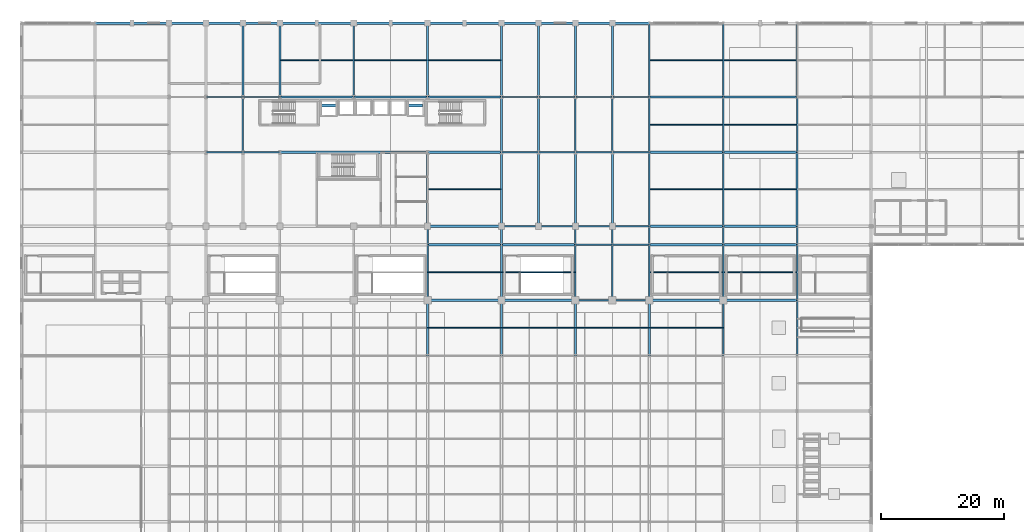
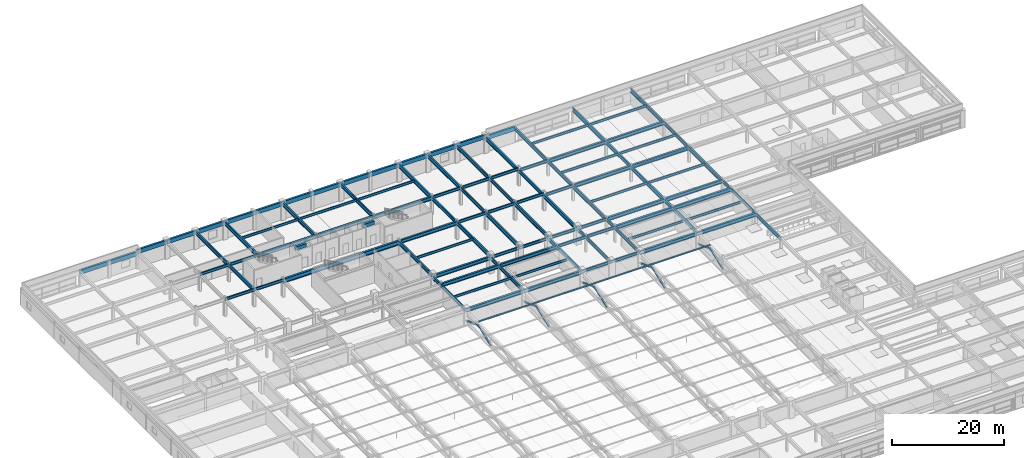
# One storey, part 44 of 108: 109 beams, 14 members.
"""IFC4 building model written with IfcOpenShell, lengths in metres."""

from ifc_helpers import new_model, si_unit, direction, frame, origin, origin_2d, place, context, subcontext, project, spatial, rectangle, hollow_rectangle, i_section, extrude, material, material_profile, profile_set, type_object, element, save


model = new_model("IFC4")

# Units and contexts
model_context = context("Model", 3, precision=1e-05, world=origin(), true_north=direction((0.0, 1.0)))
body_context = subcontext(model_context, "Body", "Model", "MODEL_VIEW")
ifc_project = project(units=[si_unit("LENGTHUNIT", "METRE"), si_unit("AREAUNIT", "SQUARE_METRE"), si_unit("VOLUMEUNIT", "CUBIC_METRE"), si_unit("PLANEANGLEUNIT", "RADIAN"), si_unit("MASSUNIT", "GRAM", prefix="KILO")], contexts=[model_context])

# Site, building, storey
site_placement = place(None, origin())
site = spatial("IfcSite", under=ifc_project, at=site_placement, CompositionType="ELEMENT")
building_placement = place(site_placement, origin())
building = spatial("IfcBuilding", under=site, at=building_placement, Name="Kaldorvane Square Convention Centre", CompositionType="ELEMENT")
storey_placement = place(building_placement, frame((0.0, 0.0, 23.399993896484375)))
storey = spatial("IfcBuildingStorey", under=building, at=storey_placement, Name="L04", CompositionType="ELEMENT", Elevation=23.399993896484375)

# Beams
ifc_material_1 = material(Name="Steel ASTM A992 Gr. 50", Category="steel")
ifc_material_profile_1 = material_profile(ifc_material_1, i_section(OverallWidth=0.2303009033203125, OverallDepth=0.61749267578125, WebThickness=0.0131072998046875, FlangeThickness=0.0222015380859375, FilletRadius=0.0126953125, at=origin_2d()), Name="W24X94")
ifc_profile_set_1 = profile_set([ifc_material_profile_1], Name="Steel ASTM A992 Gr. 50")
beam_type_1 = type_object("IfcBeamType", Name="BM-GR-W24X94", PredefinedType="BEAM", material=ifc_profile_set_1)
for number, where, z_axis, x_axis, name in (
    (1, (90.0, 72.0, 3.2172088623046875), (1.0, 0.0, 0.0), (0.0, 1.0, 0.0), "Primary Girder (L04)"),
    (2, (96.0, 72.0, 3.2172088623046875), (1.0, 0.0, 0.0), (0.0, 1.0, 0.0), "Primary Girder (L04)"),
    (3, (90.0, 81.0, 3.2172088623046875), (1.0, 0.0, 0.0), (0.0, 1.0, 0.0), "Primary Girder (L04)"),
    (4, (96.0, 81.0, 3.2172088623046875), (1.0, 0.0, 0.0), (0.0, 1.0, 0.0), "Primary Girder (L04)"),
    (5, (78.0, 84.0, 3.2172088623046875), (1.0, 0.0, 0.0), (0.0, 1.0, 0.0), "Primary Girder (L04)"),
    (6, (84.0, 84.0, 3.2172088623046875), (1.0, 0.0, 0.0), (0.0, 1.0, 0.0), "Primary Girder (L04)"),
    (7, (90.0, 84.0, 3.2172088623046875), (1.0, 0.0, 0.0), (0.0, 1.0, 0.0), "Primary Girder (L04)"),
    (8, (96.0, 84.0, 3.2172088623046875), (1.0, 0.0, 0.0), (0.0, 1.0, 0.0), "Primary Girder (L04)"),
    (9, (30.0, 96.0, 3.57720947265625), (1.0, 0.0, 0.0), (0.0, 1.0, 0.0), "Primary Girder (L04)"),
    (10, (36.0, 96.0, 3.57720947265625), (1.0, 0.0, 0.0), (0.0, 1.0, 0.0), "Primary Girder (L04)"),
    (11, (78.0, 96.0, 3.57720947265625), (1.0, 0.0, 0.0), (0.0, 1.0, 0.0), "Primary Girder (L04)"),
    (12, (84.0, 96.0, 3.57720947265625), (1.0, 0.0, 0.0), (0.0, 1.0, 0.0), "Primary Girder (L04)"),
    (13, (90.0, 96.0, 3.57720947265625), (1.0, 0.0, 0.0), (0.0, 1.0, 0.0), "Primary Girder (L04)"),
    (14, (96.0, 96.0, 3.2172088623046875), (1.0, 0.0, 0.0), (0.0, 1.0, 0.0), "Primary Girder (L04)"),
    (15, (30.0, 105.0, 3.57720947265625), (1.0, 0.0, 0.0), (0.0, 1.0, 0.0), "Primary Girder (L04)"),
    (16, (36.0, 105.0, 3.57720947265625), (1.0, 0.0, 0.0), (0.0, 1.0, 0.0), "Primary Girder (L04)"),
    (17, (78.0, 105.0, 3.57720947265625), (1.0, 0.0, 0.0), (0.0, 1.0, 0.0), "Primary Girder (L04)"),
    (18, (84.0, 105.0, 3.57720947265625), (1.0, 0.0, 0.0), (0.0, 1.0, 0.0), "Primary Girder (L04)"),
    (19, (90.0, 105.0, 3.57720947265625), (1.0, 0.0, 0.0), (0.0, 1.0, 0.0), "Primary Girder (L04)"),
    (20, (96.0, 105.0, 3.2172088623046875), (1.0, 0.0, 0.0), (0.0, 1.0, 0.0), "Primary Girder (L04)"),
):
    element("IfcBeam", number, at=place(storey_placement, frame(where, z_axis=z_axis, x_axis=x_axis)), inside=storey, type_object=beam_type_1, Name=name, PredefinedType="BEAM", context=body_context, shape_type="SweptSolid", body=[
        extrude(i_section(OverallWidth=0.2303009033203125, OverallDepth=0.61749267578125, WebThickness=0.0131072998046875, FlangeThickness=0.0222015380859375, FilletRadius=0.0126953125, at=origin_2d()), origin(), (0.0, 0.0, 1.0), 6.0),
    ])
ifc_material_profile_2 = material_profile(ifc_material_1, i_section(OverallWidth=0.2666015625, OverallDepth=0.762298583984375, WebThickness=0.014404296875, FlangeThickness=0.0216064453125, FilletRadius=0.0164947509765625, at=origin_2d()), Name="W30X116")
ifc_profile_set_2 = profile_set([ifc_material_profile_2], Name="Steel ASTM A992 Gr. 50")
beam_type_2 = type_object("IfcBeamType", Name="BM-GR-W30X116", PredefinedType="BEAM", material=ifc_profile_set_2)
for number, where, z_axis, x_axis, name in (
    (21, (36.0, 96.0, 3.5048065185546875), (0.0, 1.0, 0.0), (-1.0, 0.0, 0.0), "Transverse Girder (L04)"),
    (22, (66.0, 72.0, 3.144805908203125), (0.0, 1.0, 0.0), (-1.0, 0.0, 0.0), "Transverse Girder (L04)"),
):
    element("IfcBeam", number, at=place(storey_placement, frame(where, z_axis=z_axis, x_axis=x_axis)), inside=storey, type_object=beam_type_2, Name=name, PredefinedType="BEAM", context=body_context, shape_type="SweptSolid", body=[
        extrude(i_section(OverallWidth=0.2666015625, OverallDepth=0.762298583984375, WebThickness=0.014404296875, FlangeThickness=0.0216064453125, FilletRadius=0.0164947509765625, at=origin_2d()), origin(), (0.0, 0.0, 1.0), 9.0),
    ])
beam_1_placement = place(storey_placement, frame((66.0, 81.0, 3.144805908203125), z_axis=(0.0, 1.0, 0.0), x_axis=(-1.0, 0.0, 0.0)))
element("IfcBeam", 23, at=beam_1_placement, inside=storey, type_object=beam_type_2, Name="Transverse Girder (L04)", PredefinedType="BEAM", context=body_context, shape_type="SweptSolid", body=[
    extrude(i_section(OverallWidth=0.2666015625, OverallDepth=0.762298583984375, WebThickness=0.014404296875, FlangeThickness=0.0216064453125, FilletRadius=0.0164947509765625, at=origin_2d()), origin(), (0.0, 0.0, 1.0), 3.0),
])
beam_2_placement = place(storey_placement, frame((78.0, 72.0, 3.144805908203125), z_axis=(0.0, 1.0, 0.0), x_axis=(-1.0, 0.0, 0.0)))
element("IfcBeam", 24, at=beam_2_placement, inside=storey, type_object=beam_type_2, Name="Transverse Girder (L04)", PredefinedType="BEAM", context=body_context, shape_type="SweptSolid", body=[
    extrude(i_section(OverallWidth=0.2666015625, OverallDepth=0.762298583984375, WebThickness=0.014404296875, FlangeThickness=0.0216064453125, FilletRadius=0.0164947509765625, at=origin_2d()), origin(), (0.0, 0.0, 1.0), 9.0),
])
beam_3_placement = place(storey_placement, frame((78.0, 81.0, 3.144805908203125), z_axis=(0.0, 1.0, 0.0), x_axis=(-1.0, 0.0, 0.0)))
element("IfcBeam", 25, at=beam_3_placement, inside=storey, type_object=beam_type_2, Name="Transverse Girder (L04)", PredefinedType="BEAM", context=body_context, shape_type="SweptSolid", body=[
    extrude(i_section(OverallWidth=0.2666015625, OverallDepth=0.762298583984375, WebThickness=0.014404296875, FlangeThickness=0.0216064453125, FilletRadius=0.0164947509765625, at=origin_2d()), origin(), (0.0, 0.0, 1.0), 3.0),
])
for number, where, z_axis, x_axis, name in (
    (26, (78.0, 96.0, 3.5048065185546875), (0.0, 1.0, 0.0), (-1.0, 0.0, 0.0), "Transverse Girder (L04)"),
    (27, (84.0, 96.0, 3.5048065185546875), (0.0, 1.0, 0.0), (-1.0, 0.0, 0.0), "Transverse Girder (L04)"),
    (28, (90.0, 72.0, 3.144805908203125), (0.0, 1.0, 0.0), (-1.0, 0.0, 0.0), "Transverse Girder (L04)"),
):
    element("IfcBeam", number, at=place(storey_placement, frame(where, z_axis=z_axis, x_axis=x_axis)), inside=storey, type_object=beam_type_2, Name=name, PredefinedType="BEAM", context=body_context, shape_type="SweptSolid", body=[
        extrude(i_section(OverallWidth=0.2666015625, OverallDepth=0.762298583984375, WebThickness=0.014404296875, FlangeThickness=0.0216064453125, FilletRadius=0.0164947509765625, at=origin_2d()), origin(), (0.0, 0.0, 1.0), 9.0),
    ])
beam_4_placement = place(storey_placement, frame((90.0, 81.0, 3.144805908203125), z_axis=(0.0, 1.0, 0.0), x_axis=(-1.0, 0.0, 0.0)))
element("IfcBeam", 29, at=beam_4_placement, inside=storey, type_object=beam_type_2, Name="Transverse Girder (L04)", PredefinedType="BEAM", context=body_context, shape_type="SweptSolid", body=[
    extrude(i_section(OverallWidth=0.2666015625, OverallDepth=0.762298583984375, WebThickness=0.014404296875, FlangeThickness=0.0216064453125, FilletRadius=0.0164947509765625, at=origin_2d()), origin(), (0.0, 0.0, 1.0), 3.0),
])
for number, where, z_axis, x_axis, name in (
    (30, (90.0, 96.0, 3.5048065185546875), (0.0, 1.0, 0.0), (-1.0, 0.0, 0.0), "Transverse Girder (L04)"),
    (31, (96.0, 72.0, 3.144805908203125), (0.0, 1.0, 0.0), (-1.0, 0.0, 0.0), "Transverse Girder (L04)"),
):
    element("IfcBeam", number, at=place(storey_placement, frame(where, z_axis=z_axis, x_axis=x_axis)), inside=storey, type_object=beam_type_2, Name=name, PredefinedType="BEAM", context=body_context, shape_type="SweptSolid", body=[
        extrude(i_section(OverallWidth=0.2666015625, OverallDepth=0.762298583984375, WebThickness=0.014404296875, FlangeThickness=0.0216064453125, FilletRadius=0.0164947509765625, at=origin_2d()), origin(), (0.0, 0.0, 1.0), 9.0),
    ])
beam_5_placement = place(storey_placement, frame((96.0, 81.0, 3.144805908203125), z_axis=(0.0, 1.0, 0.0), x_axis=(-1.0, 0.0, 0.0)))
element("IfcBeam", 32, at=beam_5_placement, inside=storey, type_object=beam_type_2, Name="Transverse Girder (L04)", PredefinedType="BEAM", context=body_context, shape_type="SweptSolid", body=[
    extrude(i_section(OverallWidth=0.2666015625, OverallDepth=0.762298583984375, WebThickness=0.014404296875, FlangeThickness=0.0216064453125, FilletRadius=0.0164947509765625, at=origin_2d()), origin(), (0.0, 0.0, 1.0), 3.0),
])
for number, where, z_axis, x_axis, name in (
    (33, (96.0, 96.0, 3.144805908203125), (0.0, 1.0, 0.0), (-1.0, 0.0, 0.0), "Transverse Girder (L04)"),
    (34, (102.0, 72.0, 3.144805908203125), (0.0, 1.0, 0.0), (-1.0, 0.0, 0.0), "Transverse Girder (L04)"),
):
    element("IfcBeam", number, at=place(storey_placement, frame(where, z_axis=z_axis, x_axis=x_axis)), inside=storey, type_object=beam_type_2, Name=name, PredefinedType="BEAM", context=body_context, shape_type="SweptSolid", body=[
        extrude(i_section(OverallWidth=0.2666015625, OverallDepth=0.762298583984375, WebThickness=0.014404296875, FlangeThickness=0.0216064453125, FilletRadius=0.0164947509765625, at=origin_2d()), origin(), (0.0, 0.0, 1.0), 9.0),
    ])
beam_6_placement = place(storey_placement, frame((102.0, 81.0, 3.144805908203125), z_axis=(0.0, 1.0, 0.0), x_axis=(-1.0, 0.0, 0.0)))
element("IfcBeam", 35, at=beam_6_placement, inside=storey, type_object=beam_type_2, Name="Transverse Girder (L04)", PredefinedType="BEAM", context=body_context, shape_type="SweptSolid", body=[
    extrude(i_section(OverallWidth=0.2666015625, OverallDepth=0.762298583984375, WebThickness=0.014404296875, FlangeThickness=0.0216064453125, FilletRadius=0.0164947509765625, at=origin_2d()), origin(), (0.0, 0.0, 1.0), 3.0),
])
for number, where, z_axis, x_axis, name in (
    (36, (102.0, 96.0, 3.144805908203125), (0.0, 1.0, 0.0), (-1.0, 0.0, 0.0), "Transverse Girder (L04)"),
    (37, (114.0, 72.0, 3.144805908203125), (0.0, 1.0, 0.0), (-1.0, 0.0, 0.0), "Transverse Girder (L04)"),
):
    element("IfcBeam", number, at=place(storey_placement, frame(where, z_axis=z_axis, x_axis=x_axis)), inside=storey, type_object=beam_type_2, Name=name, PredefinedType="BEAM", context=body_context, shape_type="SweptSolid", body=[
        extrude(i_section(OverallWidth=0.2666015625, OverallDepth=0.762298583984375, WebThickness=0.014404296875, FlangeThickness=0.0216064453125, FilletRadius=0.0164947509765625, at=origin_2d()), origin(), (0.0, 0.0, 1.0), 9.0),
    ])
beam_7_placement = place(storey_placement, frame((114.0, 81.0, 3.144805908203125), z_axis=(0.0, 1.0, 0.0), x_axis=(-1.0, 0.0, 0.0)))
element("IfcBeam", 38, at=beam_7_placement, inside=storey, type_object=beam_type_2, Name="Transverse Girder (L04)", PredefinedType="BEAM", context=body_context, shape_type="SweptSolid", body=[
    extrude(i_section(OverallWidth=0.2666015625, OverallDepth=0.762298583984375, WebThickness=0.014404296875, FlangeThickness=0.0216064453125, FilletRadius=0.0164947509765625, at=origin_2d()), origin(), (0.0, 0.0, 1.0), 3.0),
])
for number, where, z_axis, x_axis, name in (
    (39, (114.0, 96.0, 3.144805908203125), (0.0, 1.0, 0.0), (-1.0, 0.0, 0.0), "Transverse Girder (L04)"),
    (40, (126.0, 63.0, 3.144805908203125), (0.0, 1.0, 0.0), (-1.0, 0.0, 0.0), "Transverse Girder (L04)"),
    (41, (126.0, 72.0, 3.144805908203125), (0.0, 1.0, 0.0), (-1.0, 0.0, 0.0), "Transverse Girder (L04)"),
):
    element("IfcBeam", number, at=place(storey_placement, frame(where, z_axis=z_axis, x_axis=x_axis)), inside=storey, type_object=beam_type_2, Name=name, PredefinedType="BEAM", context=body_context, shape_type="SweptSolid", body=[
        extrude(i_section(OverallWidth=0.2666015625, OverallDepth=0.762298583984375, WebThickness=0.014404296875, FlangeThickness=0.0216064453125, FilletRadius=0.0164947509765625, at=origin_2d()), origin(), (0.0, 0.0, 1.0), 9.0),
    ])
beam_8_placement = place(storey_placement, frame((126.0, 81.0, 3.144805908203125), z_axis=(0.0, 1.0, 0.0), x_axis=(-1.0, 0.0, 0.0)))
element("IfcBeam", 42, at=beam_8_placement, inside=storey, type_object=beam_type_2, Name="Transverse Girder (L04)", PredefinedType="BEAM", context=body_context, shape_type="SweptSolid", body=[
    extrude(i_section(OverallWidth=0.2666015625, OverallDepth=0.762298583984375, WebThickness=0.014404296875, FlangeThickness=0.0216064453125, FilletRadius=0.0164947509765625, at=origin_2d()), origin(), (0.0, 0.0, 1.0), 3.0),
])
beam_9_placement = place(storey_placement, frame((126.0, 96.0, 3.144805908203125), z_axis=(0.0, 1.0, 0.0), x_axis=(-1.0, 0.0, 0.0)))
element("IfcBeam", 43, at=beam_9_placement, inside=storey, type_object=beam_type_2, Name="Transverse Girder (L04)", PredefinedType="BEAM", context=body_context, shape_type="SweptSolid", body=[
    extrude(i_section(OverallWidth=0.2666015625, OverallDepth=0.762298583984375, WebThickness=0.014404296875, FlangeThickness=0.0216064453125, FilletRadius=0.0164947509765625, at=origin_2d()), origin(), (0.0, 0.0, 1.0), 9.0),
])
ifc_material_profile_3 = material_profile(ifc_material_1, i_section(OverallWidth=0.380706787109375, OverallDepth=0.773193359375, WebThickness=0.0166015625, FlangeThickness=0.027099609375, FilletRadius=0.0164947509765625, at=origin_2d()), Name="W30X173")
ifc_profile_set_3 = profile_set([ifc_material_profile_3], Name="Steel ASTM A992 Gr. 50")
beam_type_3 = type_object("IfcBeamType", Name="BM-GR-W30X173", PredefinedType="BEAM", material=ifc_profile_set_3)
for number, where, z_axis, x_axis, name in (
    (44, (66.0, 72.0, 3.139404296875), (1.0, 0.0, 0.0), (0.0, 1.0, 0.0), "Primary Girder (L04)"),
    (45, (78.0, 72.0, 3.139404296875), (1.0, 0.0, 0.0), (0.0, 1.0, 0.0), "Primary Girder (L04)"),
    (46, (102.0, 72.0, 3.139404296875), (1.0, 0.0, 0.0), (0.0, 1.0, 0.0), "Primary Girder (L04)"),
    (47, (114.0, 72.0, 3.139404296875), (1.0, 0.0, 0.0), (0.0, 1.0, 0.0), "Primary Girder (L04)"),
    (48, (66.0, 81.0, 3.139404296875), (1.0, 0.0, 0.0), (0.0, 1.0, 0.0), "Primary Girder (L04)"),
    (49, (78.0, 81.0, 3.139404296875), (1.0, 0.0, 0.0), (0.0, 1.0, 0.0), "Primary Girder (L04)"),
    (50, (102.0, 81.0, 3.139404296875), (1.0, 0.0, 0.0), (0.0, 1.0, 0.0), "Primary Girder (L04)"),
    (51, (114.0, 81.0, 3.139404296875), (1.0, 0.0, 0.0), (0.0, 1.0, 0.0), "Primary Girder (L04)"),
    (52, (66.0, 84.0, 3.139404296875), (1.0, 0.0, 0.0), (0.0, 1.0, 0.0), "Primary Girder (L04)"),
    (53, (102.0, 84.0, 3.139404296875), (1.0, 0.0, 0.0), (0.0, 1.0, 0.0), "Primary Girder (L04)"),
    (54, (114.0, 84.0, 3.139404296875), (1.0, 0.0, 0.0), (0.0, 1.0, 0.0), "Primary Girder (L04)"),
    (55, (66.0, 96.0, 3.4994049072265625), (1.0, 0.0, 0.0), (0.0, 1.0, 0.0), "Primary Girder (L04)"),
    (56, (102.0, 96.0, 3.139404296875), (1.0, 0.0, 0.0), (0.0, 1.0, 0.0), "Primary Girder (L04)"),
    (57, (114.0, 96.0, 3.139404296875), (1.0, 0.0, 0.0), (0.0, 1.0, 0.0), "Primary Girder (L04)"),
    (58, (42.0, 105.0, 3.4994049072265625), (1.0, 0.0, 0.0), (0.0, 1.0, 0.0), "Primary Girder (L04)"),
    (59, (54.0, 105.0, 3.4994049072265625), (1.0, 0.0, 0.0), (0.0, 1.0, 0.0), "Primary Girder (L04)"),
    (60, (66.0, 105.0, 3.4994049072265625), (1.0, 0.0, 0.0), (0.0, 1.0, 0.0), "Primary Girder (L04)"),
    (61, (102.0, 105.0, 3.139404296875), (1.0, 0.0, 0.0), (0.0, 1.0, 0.0), "Primary Girder (L04)"),
    (62, (114.0, 105.0, 3.139404296875), (1.0, 0.0, 0.0), (0.0, 1.0, 0.0), "Primary Girder (L04)"),
):
    element("IfcBeam", number, at=place(storey_placement, frame(where, z_axis=z_axis, x_axis=x_axis)), inside=storey, type_object=beam_type_3, Name=name, PredefinedType="BEAM", context=body_context, shape_type="SweptSolid", body=[
        extrude(i_section(OverallWidth=0.380706787109375, OverallDepth=0.773193359375, WebThickness=0.0166015625, FlangeThickness=0.027099609375, FilletRadius=0.0164947509765625, at=origin_2d()), origin(), (0.0, 0.0, 1.0), 12.0),
    ])
ifc_material_profile_4 = material_profile(ifc_material_1, i_section(OverallWidth=0.292999267578125, OverallDepth=0.845794677734375, WebThickness=0.0153961181640625, FlangeThickness=0.0243988037109375, FilletRadius=0.0178070068359375, at=origin_2d()), Name="W33X141")
ifc_profile_set_4 = profile_set([ifc_material_profile_4], Name="Steel ASTM A992 Gr. 50")
beam_type_4 = type_object("IfcBeamType", Name="BM-GR-W33X141", PredefinedType="BEAM", material=ifc_profile_set_4)
for number, where, z_axis, x_axis, name in (
    (63, (36.0, 105.0, 3.463104248046875), (0.0, 1.0, 0.0), (-1.0, 0.0, 0.0), "Transverse Girder (L04)"),
    (64, (42.0, 105.0, 3.463104248046875), (0.0, 1.0, 0.0), (-1.0, 0.0, 0.0), "Transverse Girder (L04)"),
    (65, (54.0, 105.0, 3.463104248046875), (0.0, 1.0, 0.0), (-1.0, 0.0, 0.0), "Transverse Girder (L04)"),
    (66, (66.0, 84.0, 3.463104248046875), (0.0, 1.0, 0.0), (-1.0, 0.0, 0.0), "Transverse Girder (L04)"),
    (67, (66.0, 105.0, 3.463104248046875), (0.0, 1.0, 0.0), (-1.0, 0.0, 0.0), "Transverse Girder (L04)"),
    (68, (78.0, 84.0, 3.463104248046875), (0.0, 1.0, 0.0), (-1.0, 0.0, 0.0), "Transverse Girder (L04)"),
    (69, (78.0, 105.0, 3.463104248046875), (0.0, 1.0, 0.0), (-1.0, 0.0, 0.0), "Transverse Girder (L04)"),
    (70, (84.0, 84.0, 3.463104248046875), (0.0, 1.0, 0.0), (-1.0, 0.0, 0.0), "Transverse Girder (L04)"),
    (71, (84.0, 105.0, 3.463104248046875), (0.0, 1.0, 0.0), (-1.0, 0.0, 0.0), "Transverse Girder (L04)"),
    (72, (90.0, 84.0, 3.463104248046875), (0.0, 1.0, 0.0), (-1.0, 0.0, 0.0), "Transverse Girder (L04)"),
    (73, (90.0, 105.0, 3.463104248046875), (0.0, 1.0, 0.0), (-1.0, 0.0, 0.0), "Transverse Girder (L04)"),
    (74, (96.0, 84.0, 3.1031036376953125), (0.0, 1.0, 0.0), (-1.0, 0.0, 0.0), "Transverse Girder (L04)"),
    (75, (96.0, 105.0, 3.1031036376953125), (0.0, 1.0, 0.0), (-1.0, 0.0, 0.0), "Transverse Girder (L04)"),
    (76, (102.0, 84.0, 3.1031036376953125), (0.0, 1.0, 0.0), (-1.0, 0.0, 0.0), "Transverse Girder (L04)"),
    (77, (102.0, 105.0, 3.1031036376953125), (0.0, 1.0, 0.0), (-1.0, 0.0, 0.0), "Transverse Girder (L04)"),
    (78, (114.0, 84.0, 3.1031036376953125), (0.0, 1.0, 0.0), (-1.0, 0.0, 0.0), "Transverse Girder (L04)"),
    (79, (114.0, 105.0, 3.1031036376953125), (0.0, 1.0, 0.0), (-1.0, 0.0, 0.0), "Transverse Girder (L04)"),
    (80, (126.0, 84.0, 3.1031036376953125), (0.0, 1.0, 0.0), (-1.0, 0.0, 0.0), "Transverse Girder (L04)"),
    (81, (126.0, 105.0, 3.1031036376953125), (0.0, 1.0, 0.0), (-1.0, 0.0, 0.0), "Transverse Girder (L04)"),
):
    element("IfcBeam", number, at=place(storey_placement, frame(where, z_axis=z_axis, x_axis=x_axis)), inside=storey, type_object=beam_type_4, Name=name, PredefinedType="BEAM", context=body_context, shape_type="SweptSolid", body=[
        extrude(i_section(OverallWidth=0.292999267578125, OverallDepth=0.845794677734375, WebThickness=0.0153961181640625, FlangeThickness=0.0243988037109375, FilletRadius=0.0178070068359375, at=origin_2d()), origin(), (0.0, 0.0, 1.0), 12.0),
    ])
ifc_material_profile_5 = material_profile(ifc_material_1, i_section(OverallWidth=0.418304443359375, OverallDepth=0.926605224609375, WebThickness=0.0193023681640625, FlangeThickness=0.0319976806640625, FilletRadius=0.0240936279296875, at=origin_2d()), Name="W36X231")
ifc_profile_set_5 = profile_set([ifc_material_profile_5], Name="Steel ASTM A992 Gr. 50")
beam_type_5 = type_object("IfcBeamType", Name="BM-GR-W36X231", PredefinedType="BEAM", material=ifc_profile_set_5)
beam_10_placement = place(storey_placement, frame((42.0, 96.0, 3.422698974609375), z_axis=(1.0, 0.0, 0.0), x_axis=(0.0, 1.0, 0.0)))
element("IfcBeam", 82, at=beam_10_placement, inside=storey, type_object=beam_type_5, Name="Primary Girder (L04)", PredefinedType="BEAM", context=body_context, shape_type="SweptSolid", body=[
    extrude(i_section(OverallWidth=0.418304443359375, OverallDepth=0.926605224609375, WebThickness=0.0193023681640625, FlangeThickness=0.0319976806640625, FilletRadius=0.0240936279296875, at=origin_2d()), origin(), (0.0, 0.0, 1.0), 24.0),
])
ifc_material_profile_6 = material_profile(ifc_material_1, i_section(OverallWidth=0.1658935546875, OverallDepth=0.5290985107421875, WebThickness=0.00970458984375, FlangeThickness=0.0135955810546875, FilletRadius=0.0126953125, at=origin_2d()), Name="W21X50")
ifc_profile_set_6 = profile_set([ifc_material_profile_6], Name="Steel ASTM A992 Gr. 50")
beam_type_6 = type_object("IfcBeamType", Name="BM-JS-W21X50", PredefinedType="JOIST", material=ifc_profile_set_6)
for number, where, z_axis, x_axis, name in (
    (83, (66.13330078125, 76.5, 3.26141357421875), (1.0, 0.0, 0.0), (0.0, 1.0, 0.0), "Secondary Floor Joist (L04)"),
    (84, (78.13330078125, 76.5, 3.26141357421875), (1.0, 0.0, 0.0), (0.0, 1.0, 0.0), "Secondary Floor Joist (L04)"),
    (85, (102.13330078125, 76.5, 3.26141357421875), (1.0, 0.0, 0.0), (0.0, 1.0, 0.0), "Secondary Floor Joist (L04)"),
    (86, (114.13330078125, 76.5, 3.26141357421875), (1.0, 0.0, 0.0), (0.0, 1.0, 0.0), "Secondary Floor Joist (L04)"),
):
    element("IfcBeam", number, at=place(storey_placement, frame(where, z_axis=z_axis, x_axis=x_axis)), inside=storey, type_object=beam_type_6, Name=name, PredefinedType="JOIST", context=body_context, shape_type="SweptSolid", body=[
        extrude(i_section(OverallWidth=0.1658935546875, OverallDepth=0.5290985107421875, WebThickness=0.00970458984375, FlangeThickness=0.0135955810546875, FilletRadius=0.0126953125, at=origin_2d()), origin(), (0.0, 0.0, 1.0), 11.7333984375),
    ])
for number, where, z_axis, x_axis, name in (
    (87, (66.14649963378906, 90.0, 3.62139892578125), (1.0, 0.0, 0.0), (0.0, 1.0, 0.0), "Secondary Floor Joist (L04)"),
    (88, (102.14649963378906, 90.0, 3.26141357421875), (1.0, 0.0, 0.0), (0.0, 1.0, 0.0), "Secondary Floor Joist (L04)"),
    (89, (114.14649963378906, 90.0, 3.26141357421875), (1.0, 0.0, 0.0), (0.0, 1.0, 0.0), "Secondary Floor Joist (L04)"),
):
    element("IfcBeam", number, at=place(storey_placement, frame(where, z_axis=z_axis, x_axis=x_axis)), inside=storey, type_object=beam_type_6, Name=name, PredefinedType="JOIST", context=body_context, shape_type="SweptSolid", body=[
        extrude(i_section(OverallWidth=0.1658935546875, OverallDepth=0.5290985107421875, WebThickness=0.00970458984375, FlangeThickness=0.0135955810546875, FilletRadius=0.0126953125, at=origin_2d()), origin(), (0.0, 0.0, 1.0), 11.707000732421875),
    ])
for number, where, z_axis, x_axis, name in (
    (90, (102.13330078125, 100.5, 3.26141357421875), (1.0, 0.0, 0.0), (0.0, 1.0, 0.0), "Secondary Floor Joist (L04)"),
    (91, (114.13330078125, 100.5, 3.26141357421875), (1.0, 0.0, 0.0), (0.0, 1.0, 0.0), "Secondary Floor Joist (L04)"),
):
    element("IfcBeam", number, at=place(storey_placement, frame(where, z_axis=z_axis, x_axis=x_axis)), inside=storey, type_object=beam_type_6, Name=name, PredefinedType="JOIST", context=body_context, shape_type="SweptSolid", body=[
        extrude(i_section(OverallWidth=0.1658935546875, OverallDepth=0.5290985107421875, WebThickness=0.00970458984375, FlangeThickness=0.0135955810546875, FilletRadius=0.0126953125, at=origin_2d()), origin(), (0.0, 0.0, 1.0), 11.7333984375),
    ])
for number, where, z_axis, x_axis, name in (
    (92, (42.14649963378906, 111.0, 3.62139892578125), (1.0, 0.0, 0.0), (0.0, 1.0, 0.0), "Secondary Floor Joist (L04)"),
    (93, (54.14649963378906, 111.0, 3.62139892578125), (1.0, 0.0, 0.0), (0.0, 1.0, 0.0), "Secondary Floor Joist (L04)"),
    (94, (66.14649963378906, 111.0, 3.62139892578125), (1.0, 0.0, 0.0), (0.0, 1.0, 0.0), "Secondary Floor Joist (L04)"),
    (95, (102.14649963378906, 111.0, 3.26141357421875), (1.0, 0.0, 0.0), (0.0, 1.0, 0.0), "Secondary Floor Joist (L04)"),
    (96, (114.14649963378906, 111.0, 3.26141357421875), (1.0, 0.0, 0.0), (0.0, 1.0, 0.0), "Secondary Floor Joist (L04)"),
):
    element("IfcBeam", number, at=place(storey_placement, frame(where, z_axis=z_axis, x_axis=x_axis)), inside=storey, type_object=beam_type_6, Name=name, PredefinedType="JOIST", context=body_context, shape_type="SweptSolid", body=[
        extrude(i_section(OverallWidth=0.1658935546875, OverallDepth=0.5290985107421875, WebThickness=0.00970458984375, FlangeThickness=0.0135955810546875, FilletRadius=0.0126953125, at=origin_2d()), origin(), (0.0, 0.0, 1.0), 11.707000732421875),
    ])
ifc_material_2 = material(Name="Concrete f'c = 42 MPa (Normalweight)", Category="concrete")
ifc_material_profile_7 = material_profile(ifc_material_2, rectangle(XDim=0.4499969482421875, YDim=0.75, at=origin_2d()), Name="RCLN750X450")
ifc_profile_set_7 = profile_set([ifc_material_profile_7], Name="Concrete f'c = 42 MPa (Normalweight)")
beam_type_7 = type_object("IfcBeamType", Name="BM-LN-RC750", PredefinedType="LINTEL", material=ifc_profile_set_7)
for number, where, z_axis, x_axis, name in (
    (97, (48.80000305175781, 103.60000610351562, 3.51300048828125), (1.0, 0.0, 0.0), (0.0, 1.0, 0.0), "Core Coupling Lintel W (L04)"),
    (98, (62.80000305175781, 103.60000610351562, 3.51300048828125), (1.0, 0.0, 0.0), (0.0, 1.0, 0.0), "Core Coupling Lintel E (L04)"),
):
    element("IfcBeam", number, at=place(storey_placement, frame(where, z_axis=z_axis, x_axis=x_axis)), inside=storey, type_object=beam_type_7, Name=name, PredefinedType="LINTEL", context=body_context, shape_type="SweptSolid", body=[
        extrude(rectangle(XDim=0.4499969482421875, YDim=0.75, at=origin_2d()), origin(), (0.0, 0.0, 1.0), 2.399993896484375),
    ])
ifc_material_profile_8 = material_profile(ifc_material_2, rectangle(XDim=0.399993896484375, YDim=0.899993896484375, at=origin_2d()), Name="RCSP900X400")
ifc_profile_set_8 = profile_set([ifc_material_profile_8], Name="Concrete f'c = 42 MPa (Normalweight)")
beam_type_8 = type_object("IfcBeamType", Name="BM-SP-RC900", PredefinedType="SPANDREL", material=ifc_profile_set_8)
beam_11_placement = place(storey_placement, frame((12.0, 117.0, 3.0760040283203125), z_axis=(1.0, 0.0, 0.0), x_axis=(0.0, 1.0, 0.0)))
element("IfcBeam", 99, at=beam_11_placement, inside=storey, type_object=beam_type_8, Name="Perimeter Spandrel (L04)", PredefinedType="SPANDREL", context=body_context, shape_type="SweptSolid", body=[
    extrude(rectangle(XDim=0.399993896484375, YDim=0.899993896484375, at=origin_2d()), origin(), (0.0, 0.0, 1.0), 12.0),
])
for number, where, z_axis, x_axis, name in (
    (100, (24.0, 117.0, 3.436004638671875), (1.0, 0.0, 0.0), (0.0, 1.0, 0.0), "Perimeter Spandrel (L04)"),
    (101, (30.0, 117.0, 3.436004638671875), (1.0, 0.0, 0.0), (0.0, 1.0, 0.0), "Perimeter Spandrel (L04)"),
    (102, (36.0, 117.0, 3.436004638671875), (1.0, 0.0, 0.0), (0.0, 1.0, 0.0), "Perimeter Spandrel (L04)"),
):
    element("IfcBeam", number, at=place(storey_placement, frame(where, z_axis=z_axis, x_axis=x_axis)), inside=storey, type_object=beam_type_8, Name=name, PredefinedType="SPANDREL", context=body_context, shape_type="SweptSolid", body=[
        extrude(rectangle(XDim=0.399993896484375, YDim=0.899993896484375, at=origin_2d()), origin(), (0.0, 0.0, 1.0), 6.0),
    ])
for number, where, z_axis, x_axis, name in (
    (103, (42.0, 117.0, 3.436004638671875), (1.0, 0.0, 0.0), (0.0, 1.0, 0.0), "Perimeter Spandrel (L04)"),
    (104, (54.0, 117.0, 3.436004638671875), (1.0, 0.0, 0.0), (0.0, 1.0, 0.0), "Perimeter Spandrel (L04)"),
    (105, (66.0, 117.0, 3.436004638671875), (1.0, 0.0, 0.0), (0.0, 1.0, 0.0), "Perimeter Spandrel (L04)"),
):
    element("IfcBeam", number, at=place(storey_placement, frame(where, z_axis=z_axis, x_axis=x_axis)), inside=storey, type_object=beam_type_8, Name=name, PredefinedType="SPANDREL", context=body_context, shape_type="SweptSolid", body=[
        extrude(rectangle(XDim=0.399993896484375, YDim=0.899993896484375, at=origin_2d()), origin(), (0.0, 0.0, 1.0), 12.0),
    ])
for number, where, z_axis, x_axis, name in (
    (106, (78.0, 117.0, 3.436004638671875), (1.0, 0.0, 0.0), (0.0, 1.0, 0.0), "Perimeter Spandrel (L04)"),
    (107, (84.0, 117.0, 3.436004638671875), (1.0, 0.0, 0.0), (0.0, 1.0, 0.0), "Perimeter Spandrel (L04)"),
    (108, (90.0, 117.0, 3.436004638671875), (1.0, 0.0, 0.0), (0.0, 1.0, 0.0), "Perimeter Spandrel (L04)"),
    (109, (96.0, 117.0, 3.0760040283203125), (1.0, 0.0, 0.0), (0.0, 1.0, 0.0), "Perimeter Spandrel (L04)"),
):
    element("IfcBeam", number, at=place(storey_placement, frame(where, z_axis=z_axis, x_axis=x_axis)), inside=storey, type_object=beam_type_8, Name=name, PredefinedType="SPANDREL", context=body_context, shape_type="SweptSolid", body=[
        extrude(rectangle(XDim=0.399993896484375, YDim=0.899993896484375, at=origin_2d()), origin(), (0.0, 0.0, 1.0), 6.0),
    ])

# Members
ifc_material_3 = material(Name="Steel ASTM A500 Gr. C", Category="steel")
ifc_material_profile_9 = material_profile(ifc_material_3, hollow_rectangle(XDim=0.3047943115234375, YDim=0.3047943115234375, WallThickness=0.0117950439453125, at=origin_2d()), Name="HSS12X12X1/2")
ifc_profile_set_9 = profile_set([ifc_material_profile_9], Name="Steel ASTM A500 Gr. C")
member_type_1 = type_object("IfcMemberType", Name="MB-BR-HSS12", PredefinedType="BRACE", material=ifc_profile_set_9)
for number, where, z_axis, x_axis, name in (
    (110, (66.0, 63.0, 0.8800048828125), (0.0, 0.937283847769, 0.348567050524), (-1.0, 0.0, 0.0), "Hall Roof Truss RT-04 Web 6A"),
    (111, (66.0, 67.5, 2.5535125732421875), (0.0, 0.937283847769, -0.348567050524), (-1.0, 0.0, 0.0), "Hall Roof Truss RT-04 Web 6B"),
    (112, (78.0, 63.0, 0.8800048828125), (0.0, 0.937283847769, 0.348567050524), (-1.0, 0.0, 0.0), "Hall Roof Truss RT-05 Web 6A"),
    (113, (78.0, 67.5, 2.5535125732421875), (0.0, 0.937283847769, -0.348567050524), (-1.0, 0.0, 0.0), "Hall Roof Truss RT-05 Web 6B"),
    (114, (90.0, 63.0, 0.8800048828125), (0.0, 0.937283847769, 0.348567050524), (-1.0, 0.0, 0.0), "Hall Roof Truss RT-06 Web 6A"),
    (115, (90.0, 67.5, 2.5535125732421875), (0.0, 0.937283847769, -0.348567050524), (-1.0, 0.0, 0.0), "Hall Roof Truss RT-06 Web 6B"),
    (116, (102.0, 63.0, 0.8800048828125), (0.0, 0.937283847769, 0.348567050524), (-1.0, 0.0, 0.0), "Hall Roof Truss RT-07 Web 6A"),
    (117, (102.0, 67.5, 2.5535125732421875), (0.0, 0.937283847769, -0.348567050524), (-1.0, 0.0, 0.0), "Hall Roof Truss RT-07 Web 6B"),
    (118, (114.0, 63.0, 0.8800048828125), (0.0, 0.937283847769, 0.348567050524), (-1.0, 0.0, 0.0), "Hall Roof Truss RT-08 Web 6A"),
    (119, (114.0, 67.5, 2.5535125732421875), (0.0, 0.937283847769, -0.348567050524), (-1.0, 0.0, 0.0), "Hall Roof Truss RT-08 Web 6B"),
):
    element("IfcMember", number, at=place(storey_placement, frame(where, z_axis=z_axis, x_axis=x_axis)), inside=storey, type_object=member_type_1, Name=name, PredefinedType="BRACE", context=body_context, shape_type="SweptSolid", body=[
        extrude(hollow_rectangle(XDim=0.3047943115234375, YDim=0.3047943115234375, WallThickness=0.0117950439453125, at=origin_2d()), origin(), (0.0, 0.0, 1.0), 4.8011016845703125),
    ])
ifc_material_profile_10 = material_profile(ifc_material_1, i_section(OverallWidth=0.164794921875, OverallDepth=0.310394287109375, WebThickness=0.00579833984375, FlangeThickness=0.00970458984375, FilletRadius=0.007598876953125, at=origin_2d()), Name="W12X26")
ifc_profile_set_10 = profile_set([ifc_material_profile_10], Name="Steel ASTM A992 Gr. 50")
member_type_2 = type_object("IfcMemberType", Name="MB-PR-W12X26", PredefinedType="PURLIN", material=ifc_profile_set_10)
for number, where, z_axis, x_axis, name in (
    (120, (66.0, 67.5, 3.3628082275390625), (1.0, 0.0, 0.0), (0.0, 1.0, 0.0), "Hall Roof Steel Purlin"),
    (121, (78.0, 67.5, 3.3628082275390625), (1.0, 0.0, 0.0), (0.0, 1.0, 0.0), "Hall Roof Steel Purlin"),
    (122, (90.0, 67.5, 3.3628082275390625), (1.0, 0.0, 0.0), (0.0, 1.0, 0.0), "Hall Roof Steel Purlin"),
    (123, (102.0, 67.5, 3.3628082275390625), (1.0, 0.0, 0.0), (0.0, 1.0, 0.0), "Hall Roof Steel Purlin"),
):
    element("IfcMember", number, at=place(storey_placement, frame(where, z_axis=z_axis, x_axis=x_axis)), inside=storey, type_object=member_type_2, Name=name, PredefinedType="PURLIN", context=body_context, shape_type="SweptSolid", body=[
        extrude(i_section(OverallWidth=0.164794921875, OverallDepth=0.310394287109375, WebThickness=0.00579833984375, FlangeThickness=0.00970458984375, FilletRadius=0.007598876953125, at=origin_2d()), origin(), (0.0, 0.0, 1.0), 12.0),
    ])

save(model, "model.ifc")
